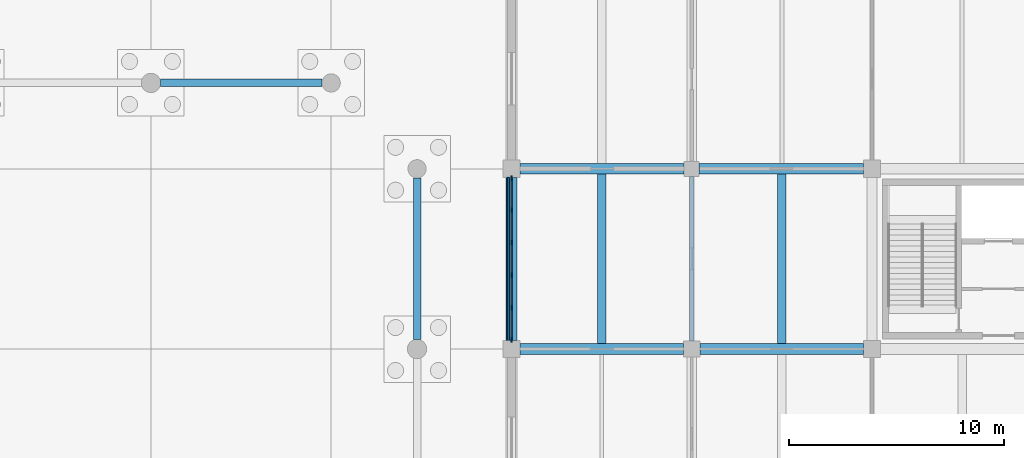
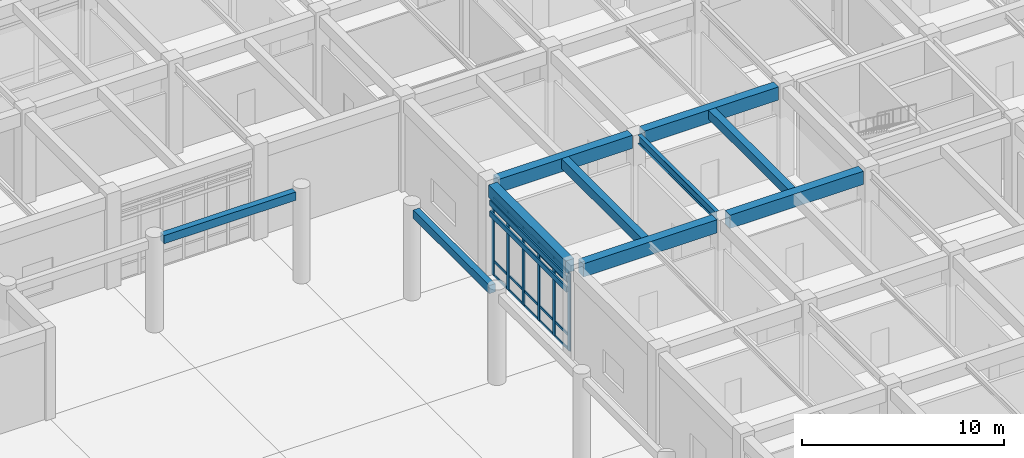
# One storey, part 35 of 91: 28 members, 10 beams, 1 element without a shape of its own.
"""IFC4 building model written with IfcOpenShell, lengths in metres."""

from ifc_helpers import new_model, si_unit, direction, frame, origin, origin_2d, place, context, subcontext, project, spatial, rectangle, i_section, extrude, material, layer, layer_set, material_profile, profile_set, type_object, element, aggregate, save


model = new_model("IFC4")

# Units and contexts
model_context = context("Model", 3, precision=1e-05, world=origin(), true_north=direction((0.0, 1.0)))
body_context = subcontext(model_context, "Body", "Model", "MODEL_VIEW")
ifc_project = project(units=[si_unit("LENGTHUNIT", "METRE"), si_unit("AREAUNIT", "SQUARE_METRE"), si_unit("VOLUMEUNIT", "CUBIC_METRE"), si_unit("PLANEANGLEUNIT", "RADIAN"), si_unit("MASSUNIT", "GRAM", prefix="KILO")], contexts=[model_context])

# Site, building, storey
site_placement = place(None, origin())
site = spatial("IfcSite", under=ifc_project, at=site_placement, CompositionType="ELEMENT")
building_placement = place(site_placement, origin())
building = spatial("IfcBuilding", under=site, at=building_placement, Name="Porcellanite Civic Hall", CompositionType="ELEMENT")
storey_placement = place(building_placement, origin())
storey = spatial("IfcBuildingStorey", under=building, at=storey_placement, Name="L00", CompositionType="ELEMENT", Elevation=0.0)

# Beams
ifc_material_1 = material(Name="Concrete N50 (50 MPa)", Category="concrete")
ifc_material_profile_1 = material_profile(ifc_material_1, rectangle(XDim=0.39990234375, YDim=0.550048828125, at=origin_2d()), Name="RC-400x550")
ifc_profile_set_1 = profile_set([ifc_material_profile_1], Name="Concrete N50 (50 MPa)")
beam_type_1 = type_object("IfcBeamType", Name="BM-RC550", PredefinedType="JOIST", material=ifc_profile_set_1)
beam_1_placement = place(storey_placement, frame((155.39990234375, 33.849609375, 5.22509765625), z_axis=(0.0, 1.0, 0.0), x_axis=(-1.0, 0.0, 0.0)))
element("IfcBeam", 1, at=beam_1_placement, inside=storey, type_object=beam_type_1, Name="Secondary joist L00 19-5", PredefinedType="JOIST", context=body_context, shape_type="SweptSolid", body=[
    extrude(rectangle(XDim=0.39990234375, YDim=0.550048828125, at=origin_2d()), origin(), (0.0, 0.0, 1.0), 7.90087890625),
])
ifc_material_2 = material(Name="Concrete N50 (50 MPa)", Category="concrete")
ifc_material_profile_2 = material_profile(ifc_material_2, rectangle(XDim=0.39990234375, YDim=0.60009765625, at=origin_2d()), Name="RC-400x600")
ifc_profile_set_2 = profile_set([ifc_material_profile_2], Name="Concrete N50 (50 MPa)")
beam_type_2 = type_object("IfcBeamType", Name="BM-RC600", PredefinedType="JOIST", material=ifc_profile_set_2)
beam_2_placement = place(storey_placement, frame((147.0, 33.849609375, 5.199951171875), z_axis=(0.0, 1.0, 0.0), x_axis=(-1.0, 0.0, 0.0)))
element("IfcBeam", 2, at=beam_2_placement, inside=storey, type_object=beam_type_2, Name="Secondary joist L00 18-5", PredefinedType="JOIST", context=body_context, shape_type="SweptSolid", body=[
    extrude(rectangle(XDim=0.39990234375, YDim=0.60009765625, at=origin_2d()), origin(), (0.0, 0.0, 1.0), 7.90087890625),
])
ifc_material_3 = material(Name="Concrete N50 (50 MPa)", Category="concrete")
ifc_material_profile_3 = material_profile(ifc_material_3, rectangle(XDim=0.5, YDim=0.75, at=origin_2d()), Name="RC-500x750")
ifc_profile_set_3 = profile_set([ifc_material_profile_3], Name="Concrete N50 (50 MPa)")
beam_type_3 = type_object("IfcBeamType", Name="BM-RC750", PredefinedType="SPANDREL", material=ifc_profile_set_3)
beam_3_placement = place(storey_placement, frame((142.800048828125, 33.99951171875, 5.125), z_axis=(0.0, 1.0, 0.0), x_axis=(-1.0, 0.0, 0.0)))
element("IfcBeam", 3, at=beam_3_placement, inside=storey, type_object=beam_type_3, Name="Beam Y L00 18-5", PredefinedType="SPANDREL", context=body_context, shape_type="SweptSolid", body=[
    extrude(rectangle(XDim=0.5, YDim=0.75, at=origin_2d()), origin(), (0.0, 0.0, 1.0), 7.60107421875),
])
ifc_material_4 = material(Name="Concrete N50 (50 MPa)", Category="concrete")
ifc_material_profile_4 = material_profile(ifc_material_4, rectangle(XDim=0.5, YDim=0.800048828125, at=origin_2d()), Name="RC-500x800")
ifc_profile_set_4 = profile_set([ifc_material_profile_4], Name="Concrete N50 (50 MPa)")
beam_type_4 = type_object("IfcBeamType", Name="BM-RC800", PredefinedType="BEAM", material=ifc_profile_set_4)
beam_4_placement = place(storey_placement, frame((143.199462890625, 33.60009765625, 5.10009765625), z_axis=(1.0, 0.0, 0.0), x_axis=(0.0, 1.0, 0.0)))
element("IfcBeam", 4, at=beam_4_placement, inside=storey, type_object=beam_type_4, Name="Beam X L00 18-5", PredefinedType="BEAM", context=body_context, shape_type="SweptSolid", body=[
    extrude(rectangle(XDim=0.5, YDim=0.800048828125, at=origin_2d()), origin(), (0.0, 0.0, 1.0), 7.6259765625),
])
beam_5_placement = place(storey_placement, frame((143.199462890625, 42.0, 5.10009765625), z_axis=(1.0, 0.0, 0.0), x_axis=(0.0, 1.0, 0.0)))
element("IfcBeam", 5, at=beam_5_placement, inside=storey, type_object=beam_type_4, Name="Beam X L00 18-6", PredefinedType="BEAM", context=body_context, shape_type="SweptSolid", body=[
    extrude(rectangle(XDim=0.5, YDim=0.800048828125, at=origin_2d()), origin(), (0.0, 0.0, 1.0), 7.651123046875),
])
beam_6_placement = place(storey_placement, frame((151.574462890625, 33.60009765625, 5.10009765625), z_axis=(1.0, 0.0, 0.0), x_axis=(0.0, 1.0, 0.0)))
element("IfcBeam", 6, at=beam_6_placement, inside=storey, type_object=beam_type_4, Name="Beam X L00 19-5", PredefinedType="BEAM", context=body_context, shape_type="SweptSolid", body=[
    extrude(rectangle(XDim=0.5, YDim=0.800048828125, at=origin_2d()), origin(), (0.0, 0.0, 1.0), 7.6259765625),
])
beam_7_placement = place(storey_placement, frame((151.549560546875, 42.0, 5.10009765625), z_axis=(1.0, 0.0, 0.0), x_axis=(0.0, 1.0, 0.0)))
element("IfcBeam", 7, at=beam_7_placement, inside=storey, type_object=beam_type_4, Name="Beam X L00 19-6", PredefinedType="BEAM", context=body_context, shape_type="SweptSolid", body=[
    extrude(rectangle(XDim=0.5, YDim=0.800048828125, at=origin_2d()), origin(), (0.0, 0.0, 1.0), 7.65087890625),
])

# Curtain wall, members
ifc_material_5 = material(Name="Anodised aluminium and solar laminated glass", Category="aluminium")
ifc_layer = layer(ifc_material_5, 0.179931640625)
ifc_layer_set = layer_set([ifc_layer], Name="Anodised aluminium and solar laminated glass")
curtain_wall_type = type_object("IfcCurtainWallType", Name="CW-SYS02", PredefinedType="NOTDEFINED", material=ifc_layer_set)
curtain_wall_placement = place(storey_placement, origin())
curtain_wall = element("IfcCurtainWall", 8, at=curtain_wall_placement, inside=storey, type_object=curtain_wall_type, Name="Curtain wall CW-050", PredefinedType="NOTDEFINED")
ifc_material_6 = material(Name="Anodised aluminium 6063-T6", Category="aluminium")
ifc_material_profile_5 = material_profile(ifc_material_6, rectangle(XDim=0.074951171875, YDim=0.219970703125, at=origin_2d()), Name="AL-75x220")
ifc_profile_set_5 = profile_set([ifc_material_profile_5], Name="Anodised aluminium 6063-T6")
member_type_1 = type_object("IfcMemberType", Name="CWM-03", PredefinedType="MULLION", material=ifc_profile_set_5)
member_1_placement = place(storey_placement, frame((142.800048828125, 34.03857421875, 0.0), z_axis=(0.0, 0.0, 1.0), x_axis=(-1.0, 0.0, 0.0)))
member_1 = element("IfcMember", 9, at=member_1_placement, type_object=member_type_1, Name="CW-050 mullion 1", PredefinedType="MULLION", context=body_context, shape_type="SweptSolid", body=[
    extrude(rectangle(XDim=0.074951171875, YDim=0.219970703125, at=origin_2d()), origin(), (0.0, 0.0, 1.0), 4.699951171875),
])
member_2_placement = place(storey_placement, frame((142.800048828125, 35.5205078125, 0.0), z_axis=(0.0, 0.0, 1.0), x_axis=(-1.0, 0.0, 0.0)))
member_2 = element("IfcMember", 10, at=member_2_placement, type_object=member_type_1, Name="CW-050 mullion 2", PredefinedType="MULLION", context=body_context, shape_type="SweptSolid", body=[
    extrude(rectangle(XDim=0.074951171875, YDim=0.219970703125, at=origin_2d()), origin(), (0.0, 0.0, 1.0), 4.699951171875),
])
member_3_placement = place(storey_placement, frame((142.800048828125, 37.040283203125, 0.0), z_axis=(0.0, 0.0, 1.0), x_axis=(-1.0, 0.0, 0.0)))
member_3 = element("IfcMember", 11, at=member_3_placement, type_object=member_type_1, Name="CW-050 mullion 3", PredefinedType="MULLION", context=body_context, shape_type="SweptSolid", body=[
    extrude(rectangle(XDim=0.074951171875, YDim=0.219970703125, at=origin_2d()), origin(), (0.0, 0.0, 1.0), 4.699951171875),
])
member_4_placement = place(storey_placement, frame((142.800048828125, 38.559814453125, 0.0), z_axis=(0.0, 0.0, 1.0), x_axis=(-1.0, 0.0, 0.0)))
member_4 = element("IfcMember", 12, at=member_4_placement, type_object=member_type_1, Name="CW-050 mullion 4", PredefinedType="MULLION", context=body_context, shape_type="SweptSolid", body=[
    extrude(rectangle(XDim=0.074951171875, YDim=0.219970703125, at=origin_2d()), origin(), (0.0, 0.0, 1.0), 4.699951171875),
])
member_5_placement = place(storey_placement, frame((142.800048828125, 40.079345703125, 0.0), z_axis=(0.0, 0.0, 1.0), x_axis=(-1.0, 0.0, 0.0)))
member_5 = element("IfcMember", 13, at=member_5_placement, type_object=member_type_1, Name="CW-050 mullion 5", PredefinedType="MULLION", context=body_context, shape_type="SweptSolid", body=[
    extrude(rectangle(XDim=0.074951171875, YDim=0.219970703125, at=origin_2d()), origin(), (0.0, 0.0, 1.0), 4.699951171875),
])
member_6_placement = place(storey_placement, frame((142.800048828125, 41.5615234375, 0.0), z_axis=(0.0, 0.0, 1.0), x_axis=(-1.0, 0.0, 0.0)))
member_6 = element("IfcMember", 14, at=member_6_placement, type_object=member_type_1, Name="CW-050 mullion 6", PredefinedType="MULLION", context=body_context, shape_type="SweptSolid", body=[
    extrude(rectangle(XDim=0.074951171875, YDim=0.219970703125, at=origin_2d()), origin(), (0.0, 0.0, 1.0), 4.699951171875),
])
ifc_material_7 = material(Name="Anodised aluminium 6063-T6", Category="aluminium")
ifc_material_profile_6 = material_profile(ifc_material_7, rectangle(XDim=0.06494140625, YDim=0.14990234375, at=origin_2d()), Name="AL-65x150")
ifc_profile_set_6 = profile_set([ifc_material_profile_6], Name="Anodised aluminium 6063-T6")
member_type_2 = type_object("IfcMemberType", Name="CWT-02", PredefinedType="USERDEFINED", material=ifc_profile_set_6)
member_7_placement = place(storey_placement, frame((142.800048828125, 34.075927734375, 0.032470703125), z_axis=(0.0, 1.0, 0.0), x_axis=(-1.0, 0.0, 0.0)))
member_7 = element("IfcMember", 15, at=member_7_placement, type_object=member_type_2, Name="CW-050 transom 1.1", ObjectType="TRANSOM", PredefinedType="USERDEFINED", context=body_context, shape_type="SweptSolid", body=[
    extrude(rectangle(XDim=0.06494140625, YDim=0.14990234375, at=origin_2d()), origin(), (0.0, 0.0, 1.0), 1.4072265625),
])
member_8_placement = place(storey_placement, frame((142.800048828125, 34.075927734375, 0.89990234375), z_axis=(0.0, 1.0, 0.0), x_axis=(-1.0, 0.0, 0.0)))
member_8 = element("IfcMember", 16, at=member_8_placement, type_object=member_type_2, Name="CW-050 transom 1.2", ObjectType="TRANSOM", PredefinedType="USERDEFINED", context=body_context, shape_type="SweptSolid", body=[
    extrude(rectangle(XDim=0.06494140625, YDim=0.14990234375, at=origin_2d()), origin(), (0.0, 0.0, 1.0), 1.4072265625),
])
member_9_placement = place(storey_placement, frame((142.800048828125, 34.075927734375, 4.050048828125), z_axis=(0.0, 1.0, 0.0), x_axis=(-1.0, 0.0, 0.0)))
member_9 = element("IfcMember", 17, at=member_9_placement, type_object=member_type_2, Name="CW-050 transom 1.3", ObjectType="TRANSOM", PredefinedType="USERDEFINED", context=body_context, shape_type="SweptSolid", body=[
    extrude(rectangle(XDim=0.06494140625, YDim=0.14990234375, at=origin_2d()), origin(), (0.0, 0.0, 1.0), 1.4072265625),
])
member_10_placement = place(storey_placement, frame((142.800048828125, 34.075927734375, 4.66748046875), z_axis=(0.0, 1.0, 0.0), x_axis=(-1.0, 0.0, 0.0)))
member_10 = element("IfcMember", 18, at=member_10_placement, type_object=member_type_2, Name="CW-050 transom 1.4", ObjectType="TRANSOM", PredefinedType="USERDEFINED", context=body_context, shape_type="SweptSolid", body=[
    extrude(rectangle(XDim=0.06494140625, YDim=0.14990234375, at=origin_2d()), origin(), (0.0, 0.0, 1.0), 1.4072265625),
])
member_11_placement = place(storey_placement, frame((142.800048828125, 35.55810546875, 0.032470703125), z_axis=(0.0, 1.0, 0.0), x_axis=(-1.0, 0.0, 0.0)))
member_11 = element("IfcMember", 19, at=member_11_placement, type_object=member_type_2, Name="CW-050 transom 2.1", ObjectType="TRANSOM", PredefinedType="USERDEFINED", context=body_context, shape_type="SweptSolid", body=[
    extrude(rectangle(XDim=0.06494140625, YDim=0.14990234375, at=origin_2d()), origin(), (0.0, 0.0, 1.0), 1.444580078125),
])
member_12_placement = place(storey_placement, frame((142.800048828125, 35.55810546875, 0.89990234375), z_axis=(0.0, 1.0, 0.0), x_axis=(-1.0, 0.0, 0.0)))
member_12 = element("IfcMember", 20, at=member_12_placement, type_object=member_type_2, Name="CW-050 transom 2.2", ObjectType="TRANSOM", PredefinedType="USERDEFINED", context=body_context, shape_type="SweptSolid", body=[
    extrude(rectangle(XDim=0.06494140625, YDim=0.14990234375, at=origin_2d()), origin(), (0.0, 0.0, 1.0), 1.444580078125),
])
member_13_placement = place(storey_placement, frame((142.800048828125, 35.55810546875, 4.050048828125), z_axis=(0.0, 1.0, 0.0), x_axis=(-1.0, 0.0, 0.0)))
member_13 = element("IfcMember", 21, at=member_13_placement, type_object=member_type_2, Name="CW-050 transom 2.3", ObjectType="TRANSOM", PredefinedType="USERDEFINED", context=body_context, shape_type="SweptSolid", body=[
    extrude(rectangle(XDim=0.06494140625, YDim=0.14990234375, at=origin_2d()), origin(), (0.0, 0.0, 1.0), 1.444580078125),
])
member_14_placement = place(storey_placement, frame((142.800048828125, 35.55810546875, 4.66748046875), z_axis=(0.0, 1.0, 0.0), x_axis=(-1.0, 0.0, 0.0)))
member_14 = element("IfcMember", 22, at=member_14_placement, type_object=member_type_2, Name="CW-050 transom 2.4", ObjectType="TRANSOM", PredefinedType="USERDEFINED", context=body_context, shape_type="SweptSolid", body=[
    extrude(rectangle(XDim=0.06494140625, YDim=0.14990234375, at=origin_2d()), origin(), (0.0, 0.0, 1.0), 1.444580078125),
])
member_15_placement = place(storey_placement, frame((142.800048828125, 37.07763671875, 0.032470703125), z_axis=(0.0, 1.0, 0.0), x_axis=(-1.0, 0.0, 0.0)))
member_15 = element("IfcMember", 23, at=member_15_placement, type_object=member_type_2, Name="CW-050 transom 3.1", ObjectType="TRANSOM", PredefinedType="USERDEFINED", context=body_context, shape_type="SweptSolid", body=[
    extrude(rectangle(XDim=0.06494140625, YDim=0.14990234375, at=origin_2d()), origin(), (0.0, 0.0, 1.0), 1.444580078125),
])
member_16_placement = place(storey_placement, frame((142.800048828125, 37.07763671875, 0.89990234375), z_axis=(0.0, 1.0, 0.0), x_axis=(-1.0, 0.0, 0.0)))
member_16 = element("IfcMember", 24, at=member_16_placement, type_object=member_type_2, Name="CW-050 transom 3.2", ObjectType="TRANSOM", PredefinedType="USERDEFINED", context=body_context, shape_type="SweptSolid", body=[
    extrude(rectangle(XDim=0.06494140625, YDim=0.14990234375, at=origin_2d()), origin(), (0.0, 0.0, 1.0), 1.444580078125),
])
member_17_placement = place(storey_placement, frame((142.800048828125, 37.07763671875, 4.050048828125), z_axis=(0.0, 1.0, 0.0), x_axis=(-1.0, 0.0, 0.0)))
member_17 = element("IfcMember", 25, at=member_17_placement, type_object=member_type_2, Name="CW-050 transom 3.3", ObjectType="TRANSOM", PredefinedType="USERDEFINED", context=body_context, shape_type="SweptSolid", body=[
    extrude(rectangle(XDim=0.06494140625, YDim=0.14990234375, at=origin_2d()), origin(), (0.0, 0.0, 1.0), 1.444580078125),
])
member_18_placement = place(storey_placement, frame((142.800048828125, 37.07763671875, 4.66748046875), z_axis=(0.0, 1.0, 0.0), x_axis=(-1.0, 0.0, 0.0)))
member_18 = element("IfcMember", 26, at=member_18_placement, type_object=member_type_2, Name="CW-050 transom 3.4", ObjectType="TRANSOM", PredefinedType="USERDEFINED", context=body_context, shape_type="SweptSolid", body=[
    extrude(rectangle(XDim=0.06494140625, YDim=0.14990234375, at=origin_2d()), origin(), (0.0, 0.0, 1.0), 1.444580078125),
])
member_19_placement = place(storey_placement, frame((142.800048828125, 38.597412109375, 0.032470703125), z_axis=(0.0, 1.0, 0.0), x_axis=(-1.0, 0.0, 0.0)))
member_19 = element("IfcMember", 27, at=member_19_placement, type_object=member_type_2, Name="CW-050 transom 4.1", ObjectType="TRANSOM", PredefinedType="USERDEFINED", context=body_context, shape_type="SweptSolid", body=[
    extrude(rectangle(XDim=0.06494140625, YDim=0.14990234375, at=origin_2d()), origin(), (0.0, 0.0, 1.0), 1.444580078125),
])
member_20_placement = place(storey_placement, frame((142.800048828125, 38.597412109375, 0.89990234375), z_axis=(0.0, 1.0, 0.0), x_axis=(-1.0, 0.0, 0.0)))
member_20 = element("IfcMember", 28, at=member_20_placement, type_object=member_type_2, Name="CW-050 transom 4.2", ObjectType="TRANSOM", PredefinedType="USERDEFINED", context=body_context, shape_type="SweptSolid", body=[
    extrude(rectangle(XDim=0.06494140625, YDim=0.14990234375, at=origin_2d()), origin(), (0.0, 0.0, 1.0), 1.444580078125),
])
member_21_placement = place(storey_placement, frame((142.800048828125, 38.597412109375, 4.050048828125), z_axis=(0.0, 1.0, 0.0), x_axis=(-1.0, 0.0, 0.0)))
member_21 = element("IfcMember", 29, at=member_21_placement, type_object=member_type_2, Name="CW-050 transom 4.3", ObjectType="TRANSOM", PredefinedType="USERDEFINED", context=body_context, shape_type="SweptSolid", body=[
    extrude(rectangle(XDim=0.06494140625, YDim=0.14990234375, at=origin_2d()), origin(), (0.0, 0.0, 1.0), 1.444580078125),
])
member_22_placement = place(storey_placement, frame((142.800048828125, 38.597412109375, 4.66748046875), z_axis=(0.0, 1.0, 0.0), x_axis=(-1.0, 0.0, 0.0)))
member_22 = element("IfcMember", 30, at=member_22_placement, type_object=member_type_2, Name="CW-050 transom 4.4", ObjectType="TRANSOM", PredefinedType="USERDEFINED", context=body_context, shape_type="SweptSolid", body=[
    extrude(rectangle(XDim=0.06494140625, YDim=0.14990234375, at=origin_2d()), origin(), (0.0, 0.0, 1.0), 1.444580078125),
])
member_23_placement = place(storey_placement, frame((142.800048828125, 40.116943359375, 0.032470703125), z_axis=(0.0, 1.0, 0.0), x_axis=(-1.0, 0.0, 0.0)))
member_23 = element("IfcMember", 31, at=member_23_placement, type_object=member_type_2, Name="CW-050 transom 5.1", ObjectType="TRANSOM", PredefinedType="USERDEFINED", context=body_context, shape_type="SweptSolid", body=[
    extrude(rectangle(XDim=0.06494140625, YDim=0.14990234375, at=origin_2d()), origin(), (0.0, 0.0, 1.0), 1.406982421875),
])
member_24_placement = place(storey_placement, frame((142.800048828125, 40.116943359375, 0.89990234375), z_axis=(0.0, 1.0, 0.0), x_axis=(-1.0, 0.0, 0.0)))
member_24 = element("IfcMember", 32, at=member_24_placement, type_object=member_type_2, Name="CW-050 transom 5.2", ObjectType="TRANSOM", PredefinedType="USERDEFINED", context=body_context, shape_type="SweptSolid", body=[
    extrude(rectangle(XDim=0.06494140625, YDim=0.14990234375, at=origin_2d()), origin(), (0.0, 0.0, 1.0), 1.406982421875),
])
member_25_placement = place(storey_placement, frame((142.800048828125, 40.116943359375, 4.050048828125), z_axis=(0.0, 1.0, 0.0), x_axis=(-1.0, 0.0, 0.0)))
member_25 = element("IfcMember", 33, at=member_25_placement, type_object=member_type_2, Name="CW-050 transom 5.3", ObjectType="TRANSOM", PredefinedType="USERDEFINED", context=body_context, shape_type="SweptSolid", body=[
    extrude(rectangle(XDim=0.06494140625, YDim=0.14990234375, at=origin_2d()), origin(), (0.0, 0.0, 1.0), 1.406982421875),
])
member_26_placement = place(storey_placement, frame((142.800048828125, 40.116943359375, 4.66748046875), z_axis=(0.0, 1.0, 0.0), x_axis=(-1.0, 0.0, 0.0)))
member_26 = element("IfcMember", 34, at=member_26_placement, type_object=member_type_2, Name="CW-050 transom 5.4", ObjectType="TRANSOM", PredefinedType="USERDEFINED", context=body_context, shape_type="SweptSolid", body=[
    extrude(rectangle(XDim=0.06494140625, YDim=0.14990234375, at=origin_2d()), origin(), (0.0, 0.0, 1.0), 1.406982421875),
])
aggregate(curtain_wall, [member_1, member_2, member_3, member_4, member_5, member_6, member_7, member_8, member_9, member_10, member_11, member_12, member_13, member_14, member_15, member_16, member_17, member_18, member_19, member_20, member_21, member_22, member_23, member_24, member_25, member_26])

# Beams
ifc_material_8 = material(Name="Concrete N50 (50 MPa)", Category="concrete")
ifc_material_profile_7 = material_profile(ifc_material_8, rectangle(XDim=0.35009765625, YDim=0.5, at=origin_2d()), Name="RC-350x500")
ifc_profile_set_7 = profile_set([ifc_material_profile_7], Name="Concrete N50 (50 MPa)")
beam_type_5 = type_object("IfcBeamType", Name="LN-RC500", PredefinedType="LINTEL", material=ifc_profile_set_7)
beam_8_placement = place(storey_placement, frame((138.39990234375, 34.049560546875, 5.260009765625), z_axis=(0.0, 1.0, 0.0), x_axis=(-1.0, 0.0, 0.0)))
element("IfcBeam", 35, at=beam_8_placement, inside=storey, type_object=beam_type_5, Name="Colonnade keystone beam L00 COL-E-P05", PredefinedType="LINTEL", context=body_context, shape_type="SweptSolid", body=[
    extrude(rectangle(XDim=0.35009765625, YDim=0.5, at=origin_2d()), origin(), (0.0, 0.0, 1.0), 7.52587890625),
])
beam_9_placement = place(storey_placement, frame((126.449462890625, 46.0, 5.260009765625), z_axis=(1.0, 0.0, 0.0), x_axis=(0.0, 1.0, 0.0)))
element("IfcBeam", 36, at=beam_9_placement, inside=storey, type_object=beam_type_5, Name="Colonnade keystone beam L00 COL-NE-P02", PredefinedType="LINTEL", context=body_context, shape_type="SweptSolid", body=[
    extrude(rectangle(XDim=0.35009765625, YDim=0.5, at=origin_2d()), origin(), (0.0, 0.0, 1.0), 7.526123046875),
])

# Members
ifc_material_9 = material(Name="Fluoropolymer bauxite-red aluminium 6063-T6", Category="aluminium")
ifc_material_profile_8 = material_profile(ifc_material_9, rectangle(XDim=0.080078125, YDim=0.320068359375, at=origin_2d()), Name="AL-80x320")
ifc_profile_set_8 = profile_set([ifc_material_profile_8], Name="Fluoropolymer bauxite-red aluminium 6063-T6")
member_type_3 = type_object("IfcMemberType", Name="LV-BLD03", PredefinedType="USERDEFINED", material=ifc_profile_set_8)
for number, where, z_axis, x_axis, name in (
    (37, (142.64794921875, 33.99951171875, 4.39990234375), (0.0, 1.0, 0.0), (-1.0, 0.0, 0.0), "Cyclone sunshade louvre L00 W 17-4 1"),
    (38, (142.64794921875, 33.99951171875, 3.75), (0.0, 1.0, 0.0), (-1.0, 0.0, 0.0), "Cyclone sunshade louvre L00 W 17-4 2"),
):
    element("IfcMember", number, at=place(storey_placement, frame(where, z_axis=z_axis, x_axis=x_axis)), inside=storey, type_object=member_type_3, Name=name, ObjectType="LOUVRE BLADE", PredefinedType="USERDEFINED", context=body_context, shape_type="SweptSolid", body=[
        extrude(rectangle(XDim=0.080078125, YDim=0.320068359375, at=origin_2d()), origin(), (0.0, 0.0, 1.0), 7.60107421875),
    ])

# Beam
ifc_material_10 = material(Name="Steel Grade 350", Category="steel")
ifc_material_profile_9 = material_profile(ifc_material_10, i_section(OverallWidth=0.208984375, OverallDepth=0.528076171875, WebThickness=0.009521484375, FlangeThickness=0.01318359375, FilletRadius=0.013916015625, at=origin_2d()), Name="530UB82.0")
ifc_profile_set_9 = profile_set([ifc_material_profile_9], Name="Steel Grade 350")
beam_type_6 = type_object("IfcBeamType", Name="RAF-530UB82", PredefinedType="BEAM", material=ifc_profile_set_9)
beam_10_placement = place(storey_placement, frame((151.199951171875, 33.974609375, 5.236083984375), z_axis=(0.0, 1.0, 0.0), x_axis=(-1.0, 0.0, 0.0)))
element("IfcBeam", 39, at=beam_10_placement, inside=storey, type_object=beam_type_6, Name="Beam Y L00 19-5", PredefinedType="BEAM", context=body_context, shape_type="SweptSolid", body=[
    extrude(i_section(OverallWidth=0.208984375, OverallDepth=0.528076171875, WebThickness=0.009521484375, FlangeThickness=0.01318359375, FilletRadius=0.013916015625, at=origin_2d()), origin(), (0.0, 0.0, 1.0), 7.67578125),
])

save(model, "model.ifc")
